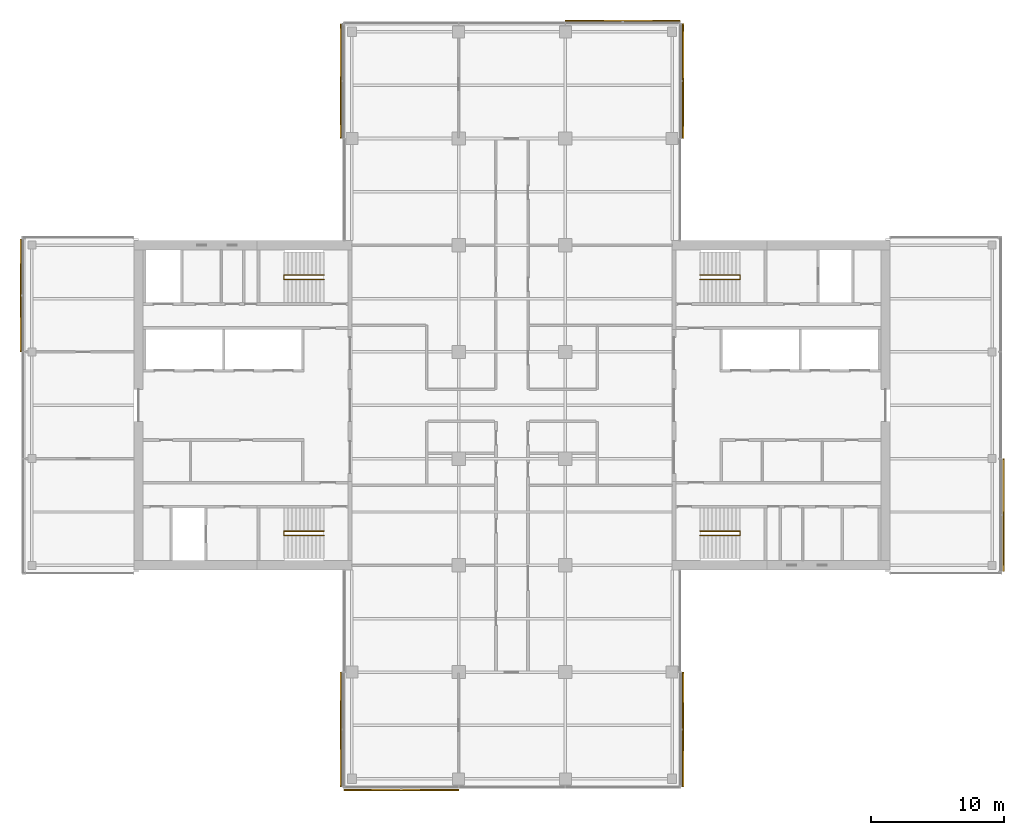
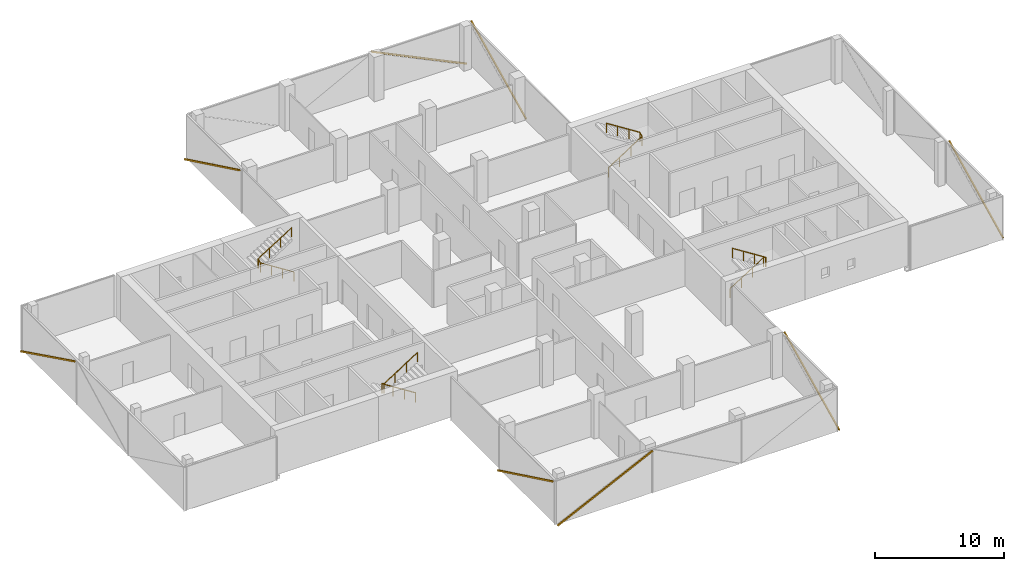
# One storey, part 22 of 22: 8 shading devices, 4 railings, 8 elements without a shape of their own.
"""IFC4 building model written with IfcOpenShell, lengths in metres."""

from ifc_helpers import new_model, si_unit, direction, frame, origin, origin_2d, place, context, subcontext, project, spatial, rectangle, circle, extrude, material, material_profile, profile_set, type_object, element, aggregate, save


model = new_model("IFC4")

# Units and contexts
model_context = context("Model", 3, precision=1e-05, world=origin(), true_north=direction((0.0, 1.0)))
body_context = subcontext(model_context, "Body", "Model", "MODEL_VIEW")
ifc_project = project(units=[si_unit("LENGTHUNIT", "METRE"), si_unit("AREAUNIT", "SQUARE_METRE"), si_unit("VOLUMEUNIT", "CUBIC_METRE"), si_unit("PLANEANGLEUNIT", "RADIAN"), si_unit("MASSUNIT", "GRAM", prefix="KILO")], contexts=[model_context])

# Site, building, storey
site_placement = place(None, origin())
site = spatial("IfcSite", under=ifc_project, at=site_placement, CompositionType="ELEMENT")
building_placement = place(site_placement, origin())
building = spatial("IfcBuilding", under=site, at=building_placement, Name="Crosswind Convention Tower", CompositionType="ELEMENT")
storey_placement = place(building_placement, frame((0.0, 0.0, 158.89990234375)))
storey = spatial("IfcBuildingStorey", under=building, at=storey_placement, Name="L33", CompositionType="ELEMENT", Elevation=158.89990234375)

# Railings
ifc_material_1 = material(Name="Stainless steel", Category="steel")
railing_type = type_object("IfcRailingType", Name="Stair handrail 900", PredefinedType="HANDRAIL", material=ifc_material_1)
railing_1_placement = place(storey_placement, frame((139.10009765625, 109.43994140625, 0.19091796875)))
element("IfcRailing", 1, at=railing_1_placement, inside=storey, type_object=railing_type, Name="Stair ST1 handrail L33", PredefinedType="HANDRAIL", context=body_context, shape_type="SweptSolid", body=[
    extrude(circle(Radius=0.02392578125, at=origin_2d()), frame((0.0, 0.0, 0.8759765625), z_axis=(0.843650179428, 0.0, 0.536893261973), x_axis=(0.0, 1.0, 0.0)), (0.0, 0.0, 1.0), 3.555908203125),
    extrude(circle(Radius=0.02392578125, at=origin_2d()), frame((3.0, 0.0, 2.78515625), z_axis=(0.0, 0.858819504967, 0.512278301208), x_axis=(-1.0, 0.0, 0.0)), (0.0, 0.0, 1.0), 0.372802734375),
    extrude(circle(Radius=0.02392578125, at=origin_2d()), frame((3.0, 0.320068359375, 2.97607421875), z_axis=(-0.843650179428, 0.0, 0.536893261973), x_axis=(0.0, -1.0, 0.0)), (0.0, 0.0, 1.0), 3.555908203125),
    extrude(circle(Radius=0.02099609375, at=origin_2d()), origin(), (0.0, 0.0, 1.0), 0.851806640625),
    extrude(circle(Radius=0.02099609375, at=origin_2d()), frame((1.0, 0.0, 0.636474609375)), (0.0, 0.0, 1.0), 0.851806640625),
    extrude(circle(Radius=0.02099609375, at=origin_2d()), frame((2.0, 0.0, 1.272705078125)), (0.0, 0.0, 1.0), 0.851806640625),
    extrude(circle(Radius=0.02099609375, at=origin_2d()), frame((3.0, 0.0, 1.9091796875)), (0.0, 0.0, 1.0), 0.851806640625),
    extrude(circle(Radius=0.02099609375, at=origin_2d()), frame((3.0, 0.320068359375, 2.10009765625)), (0.0, 0.0, 1.0), 0.851806640625),
    extrude(circle(Radius=0.02099609375, at=origin_2d()), frame((2.0, 0.320068359375, 2.736572265625)), (0.0, 0.0, 1.0), 0.851806640625),
    extrude(circle(Radius=0.02099609375, at=origin_2d()), frame((1.0, 0.320068359375, 3.372802734375)), (0.0, 0.0, 1.0), 0.851806640625),
    extrude(circle(Radius=0.02099609375, at=origin_2d()), frame((0.0, 0.320068359375, 4.00927734375)), (0.0, 0.0, 1.0), 0.851806640625),
])
railing_2_placement = place(storey_placement, frame((139.10009765625, 90.56005859375, 0.19091796875)))
element("IfcRailing", 2, at=railing_2_placement, inside=storey, type_object=railing_type, Name="Stair ST2 handrail L33", PredefinedType="HANDRAIL", context=body_context, shape_type="SweptSolid", body=[
    extrude(circle(Radius=0.02392578125, at=origin_2d()), frame((0.0, 0.0, 0.8759765625), z_axis=(0.843650179428, 0.0, 0.536893261973), x_axis=(0.0, 1.0, 0.0)), (0.0, 0.0, 1.0), 3.555908203125),
    extrude(circle(Radius=0.02392578125, at=origin_2d()), frame((3.0, 0.0, 2.78515625), z_axis=(0.0, -0.858819504967, 0.512278301208), x_axis=(1.0, 0.0, 0.0)), (0.0, 0.0, 1.0), 0.372802734375),
    extrude(circle(Radius=0.02392578125, at=origin_2d()), frame((3.0, -0.320068359375, 2.97607421875), z_axis=(-0.843650179428, 0.0, 0.536893261973), x_axis=(0.0, -1.0, 0.0)), (0.0, 0.0, 1.0), 3.555908203125),
    extrude(circle(Radius=0.02099609375, at=origin_2d()), origin(), (0.0, 0.0, 1.0), 0.851806640625),
    extrude(circle(Radius=0.02099609375, at=origin_2d()), frame((1.0, 0.0, 0.636474609375)), (0.0, 0.0, 1.0), 0.851806640625),
    extrude(circle(Radius=0.02099609375, at=origin_2d()), frame((2.0, 0.0, 1.272705078125)), (0.0, 0.0, 1.0), 0.851806640625),
    extrude(circle(Radius=0.02099609375, at=origin_2d()), frame((3.0, 0.0, 1.9091796875)), (0.0, 0.0, 1.0), 0.851806640625),
    extrude(circle(Radius=0.02099609375, at=origin_2d()), frame((3.0, -0.320068359375, 2.10009765625)), (0.0, 0.0, 1.0), 0.851806640625),
    extrude(circle(Radius=0.02099609375, at=origin_2d()), frame((2.0, -0.320068359375, 2.736572265625)), (0.0, 0.0, 1.0), 0.851806640625),
    extrude(circle(Radius=0.02099609375, at=origin_2d()), frame((1.0, -0.320068359375, 3.372802734375)), (0.0, 0.0, 1.0), 0.851806640625),
    extrude(circle(Radius=0.02099609375, at=origin_2d()), frame((0.0, -0.320068359375, 4.00927734375)), (0.0, 0.0, 1.0), 0.851806640625),
])
railing_3_placement = place(storey_placement, frame((110.89990234375, 90.56005859375, 0.19091796875)))
element("IfcRailing", 3, at=railing_3_placement, inside=storey, type_object=railing_type, Name="Stair ST3 handrail L33", PredefinedType="HANDRAIL", context=body_context, shape_type="SweptSolid", body=[
    extrude(circle(Radius=0.02392578125, at=origin_2d()), frame((0.0, 0.0, 0.8759765625), z_axis=(-0.843650179428, 0.0, 0.536893261973), x_axis=(0.0, -1.0, 0.0)), (0.0, 0.0, 1.0), 3.555908203125),
    extrude(circle(Radius=0.02392578125, at=origin_2d()), frame((-3.0, 0.0, 2.78515625), z_axis=(0.0, -0.858819504967, 0.512278301208), x_axis=(1.0, 0.0, 0.0)), (0.0, 0.0, 1.0), 0.372802734375),
    extrude(circle(Radius=0.02392578125, at=origin_2d()), frame((-3.0, -0.320068359375, 2.97607421875), z_axis=(0.843650179428, 0.0, 0.536893261973), x_axis=(0.0, 1.0, 0.0)), (0.0, 0.0, 1.0), 3.555908203125),
    extrude(circle(Radius=0.02099609375, at=origin_2d()), origin(), (0.0, 0.0, 1.0), 0.851806640625),
    extrude(circle(Radius=0.02099609375, at=origin_2d()), frame((-1.0, 0.0, 0.636474609375)), (0.0, 0.0, 1.0), 0.851806640625),
    extrude(circle(Radius=0.02099609375, at=origin_2d()), frame((-2.0, 0.0, 1.272705078125)), (0.0, 0.0, 1.0), 0.851806640625),
    extrude(circle(Radius=0.02099609375, at=origin_2d()), frame((-3.0, 0.0, 1.9091796875)), (0.0, 0.0, 1.0), 0.851806640625),
    extrude(circle(Radius=0.02099609375, at=origin_2d()), frame((-3.0, -0.320068359375, 2.10009765625)), (0.0, 0.0, 1.0), 0.851806640625),
    extrude(circle(Radius=0.02099609375, at=origin_2d()), frame((-2.0, -0.320068359375, 2.736572265625)), (0.0, 0.0, 1.0), 0.851806640625),
    extrude(circle(Radius=0.02099609375, at=origin_2d()), frame((-1.0, -0.320068359375, 3.372802734375)), (0.0, 0.0, 1.0), 0.851806640625),
    extrude(circle(Radius=0.02099609375, at=origin_2d()), frame((0.0, -0.320068359375, 4.00927734375)), (0.0, 0.0, 1.0), 0.851806640625),
])
railing_4_placement = place(storey_placement, frame((110.89990234375, 109.43994140625, 0.19091796875)))
element("IfcRailing", 4, at=railing_4_placement, inside=storey, type_object=railing_type, Name="Stair ST4 handrail L33", PredefinedType="HANDRAIL", context=body_context, shape_type="SweptSolid", body=[
    extrude(circle(Radius=0.02392578125, at=origin_2d()), frame((0.0, 0.0, 0.8759765625), z_axis=(-0.843650179428, 0.0, 0.536893261973), x_axis=(0.0, -1.0, 0.0)), (0.0, 0.0, 1.0), 3.555908203125),
    extrude(circle(Radius=0.02392578125, at=origin_2d()), frame((-3.0, 0.0, 2.78515625), z_axis=(0.0, 0.858819504967, 0.512278301208), x_axis=(-1.0, 0.0, 0.0)), (0.0, 0.0, 1.0), 0.372802734375),
    extrude(circle(Radius=0.02392578125, at=origin_2d()), frame((-3.0, 0.320068359375, 2.97607421875), z_axis=(0.843650179428, 0.0, 0.536893261973), x_axis=(0.0, 1.0, 0.0)), (0.0, 0.0, 1.0), 3.555908203125),
    extrude(circle(Radius=0.02099609375, at=origin_2d()), origin(), (0.0, 0.0, 1.0), 0.851806640625),
    extrude(circle(Radius=0.02099609375, at=origin_2d()), frame((-1.0, 0.0, 0.636474609375)), (0.0, 0.0, 1.0), 0.851806640625),
    extrude(circle(Radius=0.02099609375, at=origin_2d()), frame((-2.0, 0.0, 1.272705078125)), (0.0, 0.0, 1.0), 0.851806640625),
    extrude(circle(Radius=0.02099609375, at=origin_2d()), frame((-3.0, 0.0, 1.9091796875)), (0.0, 0.0, 1.0), 0.851806640625),
    extrude(circle(Radius=0.02099609375, at=origin_2d()), frame((-3.0, 0.320068359375, 2.10009765625)), (0.0, 0.0, 1.0), 0.851806640625),
    extrude(circle(Radius=0.02099609375, at=origin_2d()), frame((-2.0, 0.320068359375, 2.736572265625)), (0.0, 0.0, 1.0), 0.851806640625),
    extrude(circle(Radius=0.02099609375, at=origin_2d()), frame((-1.0, 0.320068359375, 3.372802734375)), (0.0, 0.0, 1.0), 0.851806640625),
    extrude(circle(Radius=0.02099609375, at=origin_2d()), frame((0.0, 0.320068359375, 4.00927734375)), (0.0, 0.0, 1.0), 0.851806640625),
])

# Curtain wall, shading device
ifc_material_2 = material(Name="Aluminium unitised curtain wall", Category="aluminium")
curtain_wall_type = type_object("IfcCurtainWallType", Name="OFFICE UNITISED WALL 220", PredefinedType="USERDEFINED", material=ifc_material_2)
curtain_wall_1_placement = place(storey_placement, origin())
curtain_wall_1 = element("IfcCurtainWall", 5, at=curtain_wall_1_placement, inside=storey, type_object=curtain_wall_type, Name="CW3 L33 E-TIP 1", ObjectType="UNITISED", PredefinedType="USERDEFINED")
ifc_material_3 = material(Name="Extruded terracotta", Category="masonry")
ifc_material_profile = material_profile(ifc_material_3, rectangle(XDim=0.110107421875, YDim=0.1298828125, at=origin_2d()), Name="TC 110X130")
ifc_profile_set = profile_set([ifc_material_profile], Name="Extruded terracotta")
shading_device_type = type_object("IfcShadingDeviceType", Name="TERRACOTTA BAGUETTE 130X110", PredefinedType="USERDEFINED", material=ifc_profile_set)
shading_device_1_placement = place(storey_placement, frame((161.8310546875, 87.570068359375, -0.2998046875), z_axis=(0.0, 0.897299814718, 0.44142161536), x_axis=(-1.0, 0.0, 0.0)))
shading_device_1 = element("IfcShadingDevice", 6, at=shading_device_1_placement, type_object=shading_device_type, Name="CW3 terracotta baguette 1", ObjectType="BAGUETTE", PredefinedType="USERDEFINED", context=body_context, shape_type="SweptSolid", body=[
    extrude(rectangle(XDim=0.110107421875, YDim=0.1298828125, at=origin_2d()), origin(), (0.0, 0.0, 1.0), 9.35595703125),
])
aggregate(curtain_wall_1, [shading_device_1])

curtain_wall_2_placement = place(storey_placement, origin())
curtain_wall_2 = element("IfcCurtainWall", 7, at=curtain_wall_2_placement, inside=storey, type_object=curtain_wall_type, Name="CW3 L33 N-E 1", ObjectType="UNITISED", PredefinedType="USERDEFINED")
shading_device_2_placement = place(storey_placement, frame((137.8310546875, 120.034912109375, -0.2998046875), z_axis=(0.0, 0.900258180835, 0.435356414723), x_axis=(-1.0, 0.0, 0.0)))
shading_device_2 = element("IfcShadingDevice", 8, at=shading_device_2_placement, type_object=shading_device_type, Name="CW3 terracotta baguette 1", ObjectType="BAGUETTE", PredefinedType="USERDEFINED", context=body_context, shape_type="SweptSolid", body=[
    extrude(rectangle(XDim=0.110107421875, YDim=0.1298828125, at=origin_2d()), origin(), (0.0, 0.0, 1.0), 9.486328125),
])
aggregate(curtain_wall_2, [shading_device_2])

curtain_wall_3_placement = place(storey_placement, origin())
curtain_wall_3 = element("IfcCurtainWall", 9, at=curtain_wall_3_placement, inside=storey, type_object=curtain_wall_type, Name="CW3 L33 N-TIP 1", ObjectType="UNITISED", PredefinedType="USERDEFINED")
shading_device_3_placement = place(storey_placement, frame((137.574951171875, 128.8310546875, -0.2998046875), z_axis=(-0.900258180835, 0.0, 0.435356414723), x_axis=(0.0, -1.0, 0.0)))
shading_device_3 = element("IfcShadingDevice", 10, at=shading_device_3_placement, type_object=shading_device_type, Name="CW3 terracotta baguette 1", ObjectType="BAGUETTE", PredefinedType="USERDEFINED", context=body_context, shape_type="SweptSolid", body=[
    extrude(rectangle(XDim=0.110107421875, YDim=0.1298828125, at=origin_2d()), origin(), (0.0, 0.0, 1.0), 9.486328125),
])
aggregate(curtain_wall_3, [shading_device_3])

curtain_wall_4_placement = place(storey_placement, origin())
curtain_wall_4 = element("IfcCurtainWall", 11, at=curtain_wall_4_placement, inside=storey, type_object=curtain_wall_type, Name="CW3 L33 N-W 1", ObjectType="UNITISED", PredefinedType="USERDEFINED")
shading_device_4_placement = place(storey_placement, frame((112.1689453125, 128.574951171875, -0.2998046875), z_axis=(0.0, -0.900258180835, 0.435356414723), x_axis=(1.0, 0.0, 0.0)))
shading_device_4 = element("IfcShadingDevice", 12, at=shading_device_4_placement, type_object=shading_device_type, Name="CW3 terracotta baguette 1", ObjectType="BAGUETTE", PredefinedType="USERDEFINED", context=body_context, shape_type="SweptSolid", body=[
    extrude(rectangle(XDim=0.110107421875, YDim=0.1298828125, at=origin_2d()), origin(), (0.0, 0.0, 1.0), 9.486328125),
])
aggregate(curtain_wall_4, [shading_device_4])

curtain_wall_5_placement = place(storey_placement, origin())
curtain_wall_5 = element("IfcCurtainWall", 13, at=curtain_wall_5_placement, inside=storey, type_object=curtain_wall_type, Name="CW3 L33 W-TIP 1", ObjectType="UNITISED", PredefinedType="USERDEFINED")
shading_device_5_placement = place(storey_placement, frame((88.1689453125, 112.429931640625, -0.2998046875), z_axis=(0.0, -0.897299814718, 0.44142161536), x_axis=(1.0, 0.0, 0.0)))
shading_device_5 = element("IfcShadingDevice", 14, at=shading_device_5_placement, type_object=shading_device_type, Name="CW3 terracotta baguette 1", ObjectType="BAGUETTE", PredefinedType="USERDEFINED", context=body_context, shape_type="SweptSolid", body=[
    extrude(rectangle(XDim=0.110107421875, YDim=0.1298828125, at=origin_2d()), origin(), (0.0, 0.0, 1.0), 9.35595703125),
])
aggregate(curtain_wall_5, [shading_device_5])

curtain_wall_6_placement = place(storey_placement, origin())
curtain_wall_6 = element("IfcCurtainWall", 15, at=curtain_wall_6_placement, inside=storey, type_object=curtain_wall_type, Name="CW3 L33 S-W 1", ObjectType="UNITISED", PredefinedType="USERDEFINED")
shading_device_6_placement = place(storey_placement, frame((112.1689453125, 79.965087890625, -0.2998046875), z_axis=(0.0, -0.900258180835, 0.435356414723), x_axis=(1.0, 0.0, 0.0)))
shading_device_6 = element("IfcShadingDevice", 16, at=shading_device_6_placement, type_object=shading_device_type, Name="CW3 terracotta baguette 1", ObjectType="BAGUETTE", PredefinedType="USERDEFINED", context=body_context, shape_type="SweptSolid", body=[
    extrude(rectangle(XDim=0.110107421875, YDim=0.1298828125, at=origin_2d()), origin(), (0.0, 0.0, 1.0), 9.486328125),
])
aggregate(curtain_wall_6, [shading_device_6])

curtain_wall_7_placement = place(storey_placement, origin())
curtain_wall_7 = element("IfcCurtainWall", 17, at=curtain_wall_7_placement, inside=storey, type_object=curtain_wall_type, Name="CW3 L33 S-TIP 1", ObjectType="UNITISED", PredefinedType="USERDEFINED")
shading_device_7_placement = place(storey_placement, frame((112.425048828125, 71.1689453125, -0.2998046875), z_axis=(0.900258180835, 0.0, 0.435356414723), x_axis=(0.0, 1.0, 0.0)))
shading_device_7 = element("IfcShadingDevice", 18, at=shading_device_7_placement, type_object=shading_device_type, Name="CW3 terracotta baguette 1", ObjectType="BAGUETTE", PredefinedType="USERDEFINED", context=body_context, shape_type="SweptSolid", body=[
    extrude(rectangle(XDim=0.110107421875, YDim=0.1298828125, at=origin_2d()), origin(), (0.0, 0.0, 1.0), 9.486328125),
])
aggregate(curtain_wall_7, [shading_device_7])

curtain_wall_8_placement = place(storey_placement, origin())
curtain_wall_8 = element("IfcCurtainWall", 19, at=curtain_wall_8_placement, inside=storey, type_object=curtain_wall_type, Name="CW3 L33 S-E 1", ObjectType="UNITISED", PredefinedType="USERDEFINED")
shading_device_8_placement = place(storey_placement, frame((137.8310546875, 71.425048828125, -0.2998046875), z_axis=(0.0, 0.900258180835, 0.435356414723), x_axis=(-1.0, 0.0, 0.0)))
shading_device_8 = element("IfcShadingDevice", 20, at=shading_device_8_placement, type_object=shading_device_type, Name="CW3 terracotta baguette 1", ObjectType="BAGUETTE", PredefinedType="USERDEFINED", context=body_context, shape_type="SweptSolid", body=[
    extrude(rectangle(XDim=0.110107421875, YDim=0.1298828125, at=origin_2d()), origin(), (0.0, 0.0, 1.0), 9.486328125),
])
aggregate(curtain_wall_8, [shading_device_8])

save(model, "model.ifc")
